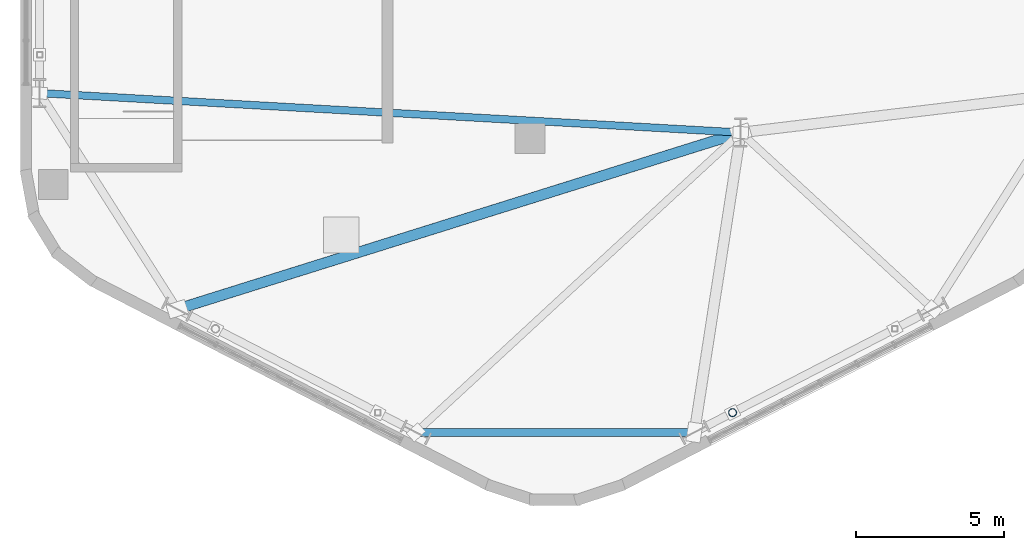
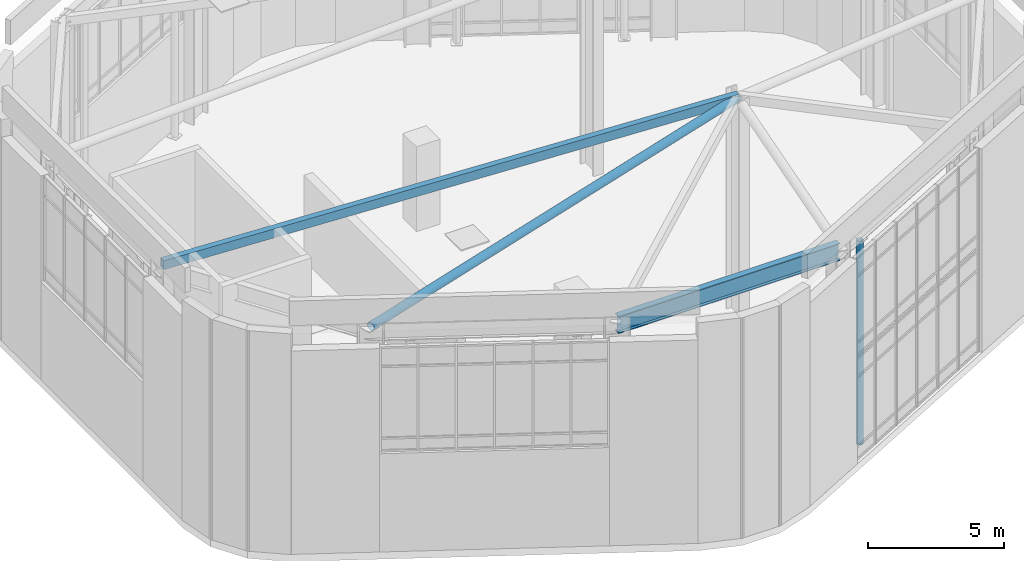
# One storey, part 4 of 23: 3 members, 1 beam.
"""IFC4 building model written with IfcOpenShell, lengths in metres."""

from ifc_helpers import new_model, si_unit, direction, frame, origin, origin_2d, place, context, subcontext, project, spatial, hollow_rectangle, hollow_circle, i_section, extrude, material, material_profile, profile_set, type_object, element, save


model = new_model("IFC4")

# Units and contexts
model_context = context("Model", 3, precision=1e-05, world=origin(), true_north=direction((0.0, 1.0)))
body_context = subcontext(model_context, "Body", "Model", "MODEL_VIEW")
ifc_project = project(units=[si_unit("LENGTHUNIT", "METRE"), si_unit("AREAUNIT", "SQUARE_METRE"), si_unit("VOLUMEUNIT", "CUBIC_METRE"), si_unit("PLANEANGLEUNIT", "RADIAN"), si_unit("MASSUNIT", "GRAM", prefix="KILO"), si_unit("THERMODYNAMICTEMPERATUREUNIT", "KELVIN"), si_unit("POWERUNIT", "WATT")], contexts=[model_context])

# Site, building, storey
site_placement = place(None, origin())
site = spatial("IfcSite", under=ifc_project, at=site_placement, CompositionType="ELEMENT")
building_placement = place(site_placement, origin())
building = spatial("IfcBuilding", under=site, at=building_placement, Name="Skarre Station Tower", CompositionType="ELEMENT")
storey_placement = place(building_placement, frame((0.0, 0.0, 291.300048828125)))
storey = spatial("IfcBuildingStorey", under=building, at=storey_placement, Name="RF", CompositionType="ELEMENT", Elevation=291.300048828125)

# Beam
ifc_material_1 = material(Name="Steel ASTM A992 Grade 50", Category="steel")
ifc_material_profile_1 = material_profile(ifc_material_1, i_section(OverallWidth=0.26806640625, OverallDepth=0.77001953125, WebThickness=0.01611328125, FlangeThickness=0.02490234375, at=origin_2d()), Name="Steel ASTM A992 Grade 50")
ifc_profile_set_1 = profile_set([ifc_material_profile_1], Name="Steel ASTM A992 Grade 50")
beam_type = type_object("IfcBeamType", Name="Steel Beam W30X132", PredefinedType="BEAM", material=ifc_profile_set_1)
beam_placement = place(storey_placement, frame((28.510986328125, 8.552978515625, 9.494873046875), z_axis=(1.0, 0.0, 0.0), x_axis=(0.0, 1.0, 0.0)))
element("IfcBeam", 1, at=beam_placement, inside=storey, type_object=beam_type, Name="RF Crown Lantern Cap Ring Beam 8", PredefinedType="BEAM", context=body_context, shape_type="SweptSolid", body=[
    extrude(i_section(OverallWidth=0.26806640625, OverallDepth=0.77001953125, WebThickness=0.01611328125, FlangeThickness=0.02490234375, at=origin_2d()), origin(), (0.0, 0.0, 1.0), 9.3779296875),
])

# Members
ifc_material_2 = material(Name="Steel ASTM A500 Grade C", Category="steel")
ifc_material_profile_2 = material_profile(ifc_material_2, hollow_circle(Radius=0.177978515625, WallThickness=0.01611328125, at=origin_2d()), Name="Steel ASTM A500 Grade C")
ifc_profile_set_2 = profile_set([ifc_material_profile_2], Name="Steel ASTM A500 Grade C")
member_type_1 = type_object("IfcMemberType", Name="Steel Truss Brace CHS356X16", PredefinedType="BRACE", material=ifc_profile_set_2)
member_1_placement = place(storey_placement, frame((20.472900390625, 12.701904296875, 9.659912109375), z_axis=(0.954226684552, 0.299084326717, 0.0), x_axis=(-0.299084326717, 0.954226684552, 0.0)))
element("IfcMember", 2, at=member_1_placement, inside=storey, type_object=member_type_1, Name="RF Crown Roof Diaphragm Brace 7", PredefinedType="BRACE", context=body_context, shape_type="SweptSolid", body=[
    extrude(hollow_circle(Radius=0.177978515625, WallThickness=0.01611328125, at=origin_2d()), origin(), (0.0, 0.0, 1.0), 19.887451171875),
])
ifc_material_profile_3 = material_profile(ifc_material_2, hollow_rectangle(XDim=0.25, YDim=0.39990234375, WallThickness=0.01611328125, at=origin_2d()), Name="Steel ASTM A500 Grade C")
ifc_profile_set_3 = profile_set([ifc_material_profile_3], Name="Steel ASTM A500 Grade C")
member_type_2 = type_object("IfcMemberType", Name="Steel Truss Purlin HSS400X250X16", PredefinedType="PURLIN", material=ifc_profile_set_3)
member_2_placement = place(storey_placement, frame((39.449951171875, 18.64990234375, 9.679931640625), z_axis=(-0.998419653974, 0.056197816316, 0.0), x_axis=(-0.056197816316, -0.998419653974, 0.0)))
element("IfcMember", 3, at=member_2_placement, inside=storey, type_object=member_type_2, Name="RF Crown Lantern Roof Purlin 6", PredefinedType="PURLIN", context=body_context, shape_type="SweptSolid", body=[
    extrude(hollow_rectangle(XDim=0.25, YDim=0.39990234375, WallThickness=0.01611328125, at=origin_2d()), origin(), (0.0, 0.0, 1.0), 23.650390625),
])
ifc_material_profile_4 = material_profile(ifc_material_2, hollow_circle(Radius=0.136474609375, WallThickness=0.011962890625, at=origin_2d()), Name="Steel ASTM A500 Grade C")
ifc_profile_set_4 = profile_set([ifc_material_profile_4], Name="Steel ASTM A500 Grade C")
member_type_3 = type_object("IfcMemberType", Name="Steel Truss Strut CHS273X12", PredefinedType="STRUT", material=ifc_profile_set_4)
member_3_placement = place(storey_placement, frame((39.175048828125, 9.217041015625, 0.0), z_axis=(0.0, 0.0, 1.0), x_axis=(1.0, 0.0, 0.0)))
element("IfcMember", 4, at=member_3_placement, inside=storey, type_object=member_type_3, Name="RF Crown Pier Post 9A", PredefinedType="STRUT", context=body_context, shape_type="SweptSolid", body=[
    extrude(hollow_circle(Radius=0.136474609375, WallThickness=0.011962890625, at=origin_2d()), origin(), (0.0, 0.0, 1.0), 9.119873046875),
])

save(model, "model.ifc")
